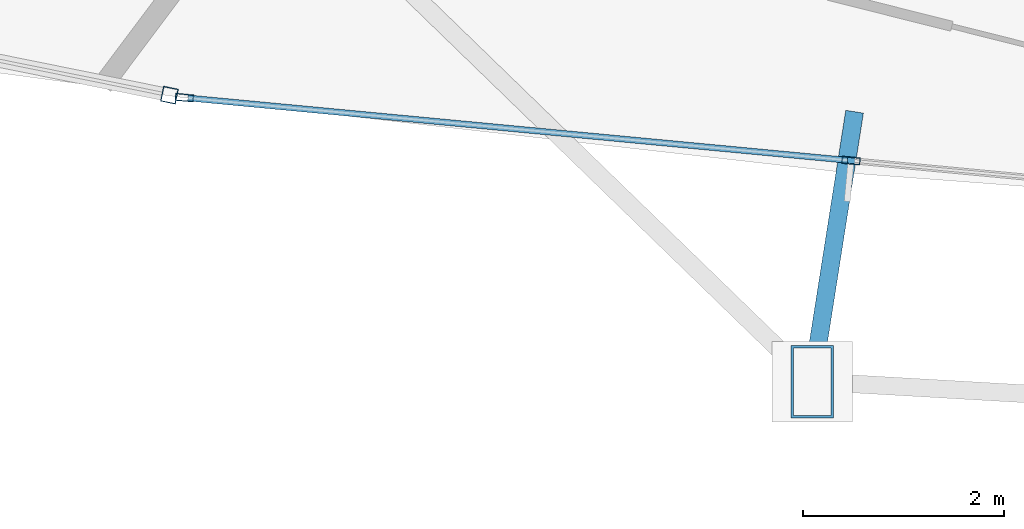
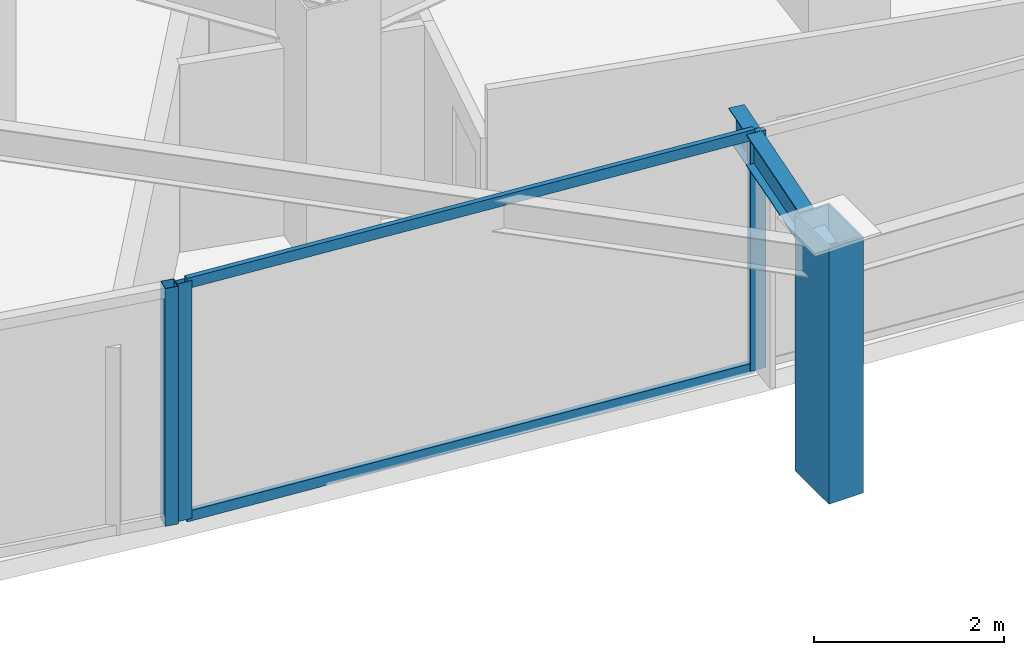
# One storey, part 4 of 35: 6 members, 1 beam, 2 elements without a shape of their own.
"""IFC4 building model written with IfcOpenShell, lengths in metres."""

from ifc_helpers import new_model, si_unit, direction, frame, origin, origin_2d, place, context, subcontext, project, spatial, hollow_rectangle, i_section, extrude, material, layer, layer_set, material_profile, profile_set, type_object, element, aggregate, save


model = new_model("IFC4")

# Units and contexts
model_context = context("Model", 3, precision=1e-05, world=origin(), true_north=direction((0.0, 1.0)))
body_context = subcontext(model_context, "Body", "Model", "MODEL_VIEW")
ifc_project = project(units=[si_unit("LENGTHUNIT", "METRE"), si_unit("AREAUNIT", "SQUARE_METRE"), si_unit("VOLUMEUNIT", "CUBIC_METRE"), si_unit("PLANEANGLEUNIT", "RADIAN"), si_unit("MASSUNIT", "GRAM", prefix="KILO")], contexts=[model_context])

# Site, building, storey
site_placement = place(None, origin())
site = spatial("IfcSite", under=ifc_project, at=site_placement, CompositionType="ELEMENT")
building_placement = place(site_placement, origin())
building = spatial("IfcBuilding", under=site, at=building_placement, Name="Orvanel Arch Residences", CompositionType="ELEMENT")
storey_placement = place(building_placement, frame((0.0, 0.0, 40.10009765625)))
storey = spatial("IfcBuildingStorey", under=building, at=storey_placement, Name="L10", CompositionType="ELEMENT", Elevation=40.10009765625)

# Member
ifc_material_1 = material(Name="Structural steel AS/NZS 3678 Grade 350", Category="steel")
ifc_material_profile_1 = material_profile(ifc_material_1, hollow_rectangle(XDim=0.419921875, YDim=0.719970703125, WallThickness=0.02490234375, at=origin_2d()), Name="RHS720x420x25")
ifc_profile_set_1 = profile_set([ifc_material_profile_1], Name="Structural steel AS/NZS 3678 Grade 350")
member_type_1 = type_object("IfcMemberType", Name="CH-720RHS-EXT", PredefinedType="CHORD", material=ifc_profile_set_1)
member_1_placement = place(storey_placement, frame((19.259033203125, -0.2080078125, 0.0), z_axis=(0.0, 0.0, 1.0), x_axis=(1.0, 0.0, 0.0)))
element("IfcMember", 1, at=member_1_placement, inside=storey, type_object=member_type_1, Name="L10 Outer Perimeter Frame Post 05", PredefinedType="CHORD", context=body_context, shape_type="SweptSolid", body=[
    extrude(hollow_rectangle(XDim=0.419921875, YDim=0.719970703125, WallThickness=0.02490234375, at=origin_2d()), origin(), (0.0, 0.0, 1.0), 3.2998046875),
])

# Curtain wall, member
ifc_material_2 = material(Name="Bronze-anodised aluminium AA6063-T6", Category="aluminium")
ifc_layer_1 = layer(ifc_material_2, 0.18994140625)
ifc_layer_set_1 = layer_set([ifc_layer_1], Name="Bronze-anodised aluminium AA6063-T6")
curtain_wall_type_1 = type_object("IfcCurtainWallType", Name="CW5-CRN-SYS", PredefinedType="NOTDEFINED", material=ifc_layer_set_1)
curtain_wall_1_placement = place(storey_placement, origin())
curtain_wall_1 = element("IfcCurtainWall", 2, at=curtain_wall_1_placement, inside=storey, type_object=curtain_wall_type_1, Name="L10 CW5-CRN-SYS Unitised Curtain Wall", PredefinedType="NOTDEFINED")
ifc_material_profile_2 = material_profile(ifc_material_2, hollow_rectangle(XDim=0.14990234375, YDim=0.14990234375, WallThickness=0.0048828125, at=origin_2d()), Name="ALU150x150x5")
ifc_profile_set_2 = profile_set([ifc_material_profile_2], Name="Bronze-anodised aluminium AA6063-T6")
member_type_2 = type_object("IfcMemberType", Name="MUL-150x150", PredefinedType="MULLION", material=ifc_profile_set_2)
member_2_placement = place(storey_placement, frame((12.87353515625, 2.636962890625, 0.0), z_axis=(0.0, 0.0, 1.0), x_axis=(0.198159258538, 0.980169836434, 0.0)))
member_2 = element("IfcMember", 3, at=member_2_placement, type_object=member_type_2, Name="CW-S5 mullion 3", PredefinedType="MULLION", context=body_context, shape_type="SweptSolid", body=[
    extrude(hollow_rectangle(XDim=0.14990234375, YDim=0.14990234375, WallThickness=0.0048828125, at=origin_2d()), origin(), (0.0, 0.0, 1.0), 3.059814453125),
])
aggregate(curtain_wall_1, [member_2])

# Curtain wall, members
ifc_layer_2 = layer(ifc_material_2, 0.179931640625)
ifc_layer_set_2 = layer_set([ifc_layer_2], Name="Bronze-anodised aluminium AA6063-T6")
curtain_wall_type_2 = type_object("IfcCurtainWallType", Name="CW2-LOW-SYS", PredefinedType="NOTDEFINED", material=ifc_layer_set_2)
curtain_wall_2_placement = place(storey_placement, origin())
curtain_wall_2 = element("IfcCurtainWall", 4, at=curtain_wall_2_placement, inside=storey, type_object=curtain_wall_type_2, Name="L10 CW2-LOW-SYS Unitised Curtain Wall", PredefinedType="NOTDEFINED")
ifc_material_profile_3 = material_profile(ifc_material_2, hollow_rectangle(XDim=0.070068359375, YDim=0.179931640625, WallThickness=0.00439453125, at=origin_2d()), Name="ALU180x70x4.5")
ifc_profile_set_3 = profile_set([ifc_material_profile_3], Name="Bronze-anodised aluminium AA6063-T6")
member_type_3 = type_object("IfcMemberType", Name="MUL-180x70", PredefinedType="MULLION", material=ifc_profile_set_3)
member_3_placement = place(storey_placement, frame((13.021728515625, 2.61279296875, 0.0), z_axis=(0.0, 0.0, 1.0), x_axis=(0.094061026895, 0.995566433353, 0.0)))
member_3 = element("IfcMember", 5, at=member_3_placement, type_object=member_type_3, Name="CW-S2 mullion 1", PredefinedType="MULLION", context=body_context, shape_type="SweptSolid", body=[
    extrude(hollow_rectangle(XDim=0.070068359375, YDim=0.179931640625, WallThickness=0.00439453125, at=origin_2d()), origin(), (0.0, 0.0, 1.0), 3.059814453125),
])
member_4_placement = place(storey_placement, frame((19.64453125, 1.987060546875, 0.0), z_axis=(0.0, 0.0, 1.0), x_axis=(0.094061026895, 0.995566433353, 0.0)))
member_4 = element("IfcMember", 6, at=member_4_placement, type_object=member_type_3, Name="CW-S2 mullion 2", PredefinedType="MULLION", context=body_context, shape_type="SweptSolid", body=[
    extrude(hollow_rectangle(XDim=0.070068359375, YDim=0.179931640625, WallThickness=0.00439453125, at=origin_2d()), origin(), (0.0, 0.0, 1.0), 3.059814453125),
])

# Beam
ifc_material_3 = material(Name="Structural steel AS/NZS 3679.1 Grade 300 (300 MPa)", Category="steel")
ifc_material_profile_4 = material_profile(ifc_material_3, i_section(OverallWidth=0.177978515625, OverallDepth=0.406005859375, WebThickness=0.0078125, FlangeThickness=0.0126953125, at=origin_2d()), Name="410UB59.7")
ifc_profile_set_4 = profile_set([ifc_material_profile_4], Name="Structural steel AS/NZS 3679.1 Grade 300 (300 MPa)")
beam_type = type_object("IfcBeamType", Name="OB-410UB-EXT", PredefinedType="SPANDREL", material=ifc_profile_set_4)
beam_placement = place(storey_placement, frame((19.679931640625, 2.472900390625, 2.85693359375), z_axis=(-0.155098612509, -0.987898993014, 0.0), x_axis=(0.987898993014, -0.155098612509, 0.0)))
element("IfcBeam", 7, at=beam_placement, inside=storey, type_object=beam_type, Name="L10 Outer Frame Radial Tie Beam 05", PredefinedType="SPANDREL", context=body_context, shape_type="SweptSolid", body=[
    extrude(i_section(OverallWidth=0.177978515625, OverallDepth=0.406005859375, WebThickness=0.0078125, FlangeThickness=0.0126953125, at=origin_2d()), origin(), (0.0, 0.0, 1.0), 2.7138671875),
])

# Member
ifc_material_profile_5 = material_profile(ifc_material_2, hollow_rectangle(XDim=0.06005859375, YDim=0.135009765625, WallThickness=0.00390625, at=origin_2d()), Name="ALU135x60x4")
ifc_profile_set_5 = profile_set([ifc_material_profile_5], Name="Bronze-anodised aluminium AA6063-T6")
member_type_4 = type_object("IfcMemberType", Name="TRN-135x60", PredefinedType="USERDEFINED", material=ifc_profile_set_5)
member_5_placement = place(storey_placement, frame((13.056640625, 2.609375, 0.02978515625), z_axis=(0.995566208487, -0.094063406904, 0.0), x_axis=(0.094063406904, 0.995566208487, 0.0)))
member_5 = element("IfcMember", 8, at=member_5_placement, type_object=member_type_4, Name="CW-S2 transom 1.1", ObjectType="TRANSOM", PredefinedType="USERDEFINED", context=body_context, shape_type="SweptSolid", body=[
    extrude(hollow_rectangle(XDim=0.06005859375, YDim=0.135009765625, WallThickness=0.00390625, at=origin_2d()), origin(), (0.0, 0.0, 1.0), 6.582275390625),
])

member_6_placement = place(storey_placement, frame((13.056640625, 2.609375, 3.02978515625), z_axis=(0.995566208487, -0.094063406904, 0.0), x_axis=(0.094063406904, 0.995566208487, 0.0)))
member_6 = element("IfcMember", 9, at=member_6_placement, type_object=member_type_4, Name="CW-S2 transom 1.2", ObjectType="TRANSOM", PredefinedType="USERDEFINED", context=body_context, shape_type="SweptSolid", body=[
    extrude(hollow_rectangle(XDim=0.06005859375, YDim=0.135009765625, WallThickness=0.00390625, at=origin_2d()), origin(), (0.0, 0.0, 1.0), 6.582275390625),
])

aggregate(curtain_wall_2, [member_3, member_4, member_5, member_6])

save(model, "model.ifc")
